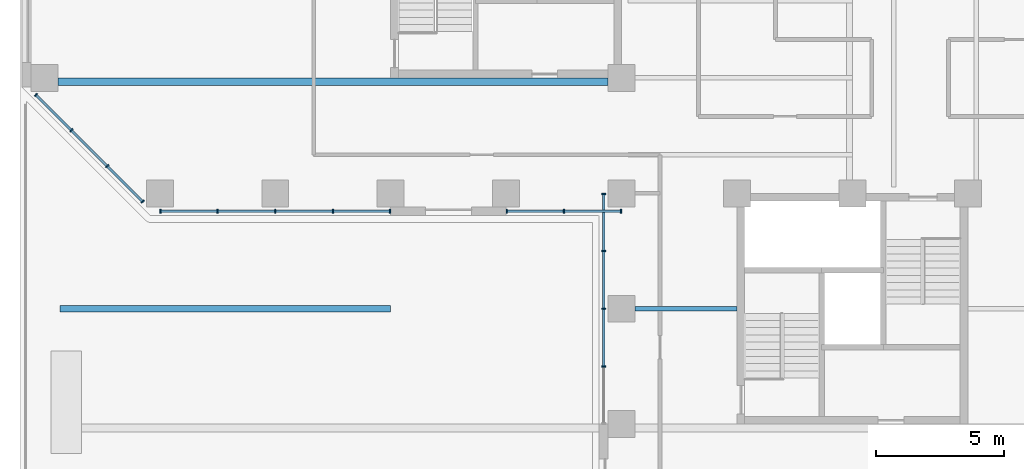
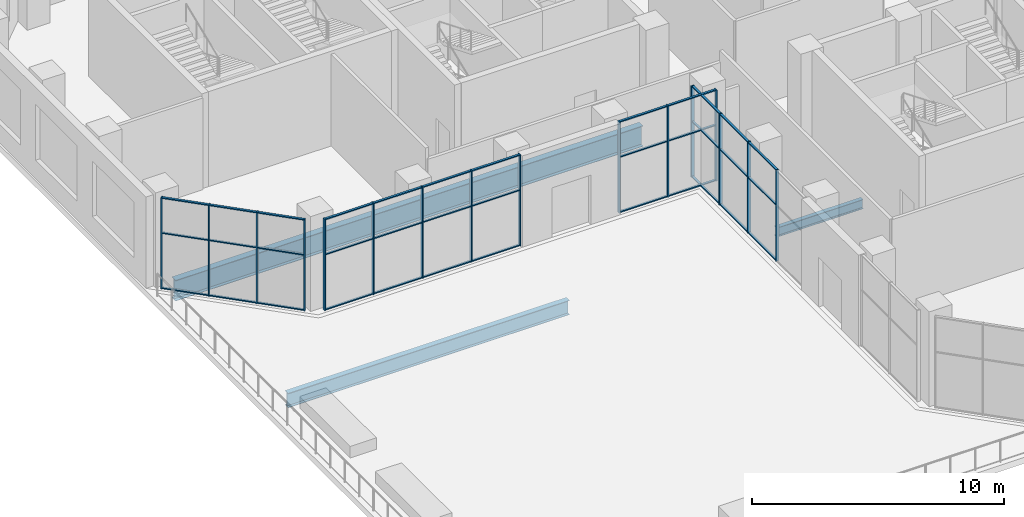
# One storey, part 3 of 14: 52 members, 3 beams, 4 elements without a shape of their own.
"""IFC4 building model written with IfcOpenShell, lengths in metres."""

from ifc_helpers import new_model, si_unit, direction, frame, origin, origin_2d, place, context, subcontext, project, spatial, rectangle, i_section, extrude, material, constituent, constituent_set, material_profile, profile_set, type_object, element, aggregate, save


model = new_model("IFC4")

# Units and contexts
model_context = context("Model", 3, precision=1e-05, world=origin(), true_north=direction((0.0, 1.0)))
body_context = subcontext(model_context, "Body", "Model", "MODEL_VIEW")
ifc_project = project(units=[si_unit("LENGTHUNIT", "METRE"), si_unit("AREAUNIT", "SQUARE_METRE"), si_unit("VOLUMEUNIT", "CUBIC_METRE"), si_unit("PLANEANGLEUNIT", "RADIAN"), si_unit("MASSUNIT", "GRAM", prefix="KILO")], contexts=[model_context])

# Site, building, storey
site_placement = place(None, origin())
site = spatial("IfcSite", under=ifc_project, at=site_placement, CompositionType="ELEMENT")
building_placement = place(site_placement, origin())
building = spatial("IfcBuilding", under=site, at=building_placement, Name="Quoin Convention Tower", CompositionType="ELEMENT")
storey_placement = place(building_placement, frame((0.0, 0.0, 74.300048828125)))
storey = spatial("IfcBuildingStorey", under=building, at=storey_placement, Name="L19", CompositionType="ELEMENT", Elevation=74.300048828125)

# Beams
ifc_material_1 = material(Name="Steel Grade 300", Category="steel")
ifc_material_profile_1 = material_profile(ifc_material_1, i_section(OverallWidth=0.300048828125, OverallDepth=1.0, WebThickness=0.01611328125, FlangeThickness=0.02001953125, at=origin_2d()), Name="1000WB215")
ifc_profile_set_1 = profile_set([ifc_material_profile_1], Name="Steel Grade 300")
beam_type_1 = type_object("IfcBeamType", Name="1000WB215", PredefinedType="BEAM", material=ifc_profile_set_1)
beam_1_placement = place(storey_placement, frame((14.02490234375, 44.85009765625, -0.650146484375), z_axis=(1.0, 0.0, 0.0), x_axis=(0.0, 1.0, 0.0)))
element("IfcBeam", 1, at=beam_1_placement, inside=storey, type_object=beam_type_1, Name="gir-L19-ST2-1-0", PredefinedType="BEAM", context=body_context, shape_type="SweptSolid", body=[
    extrude(i_section(OverallWidth=0.300048828125, OverallDepth=1.0, WebThickness=0.01611328125, FlangeThickness=0.02001953125, at=origin_2d()), origin(), (0.0, 0.0, 1.0), 21.4501953125),
])
ifc_material_profile_2 = material_profile(ifc_material_1, i_section(OverallWidth=0.18994140625, OverallDepth=0.4541015625, WebThickness=0.008544921875, FlangeThickness=0.0126953125, FilletRadius=0.011474609375, at=origin_2d()), Name="460UB67.1")
ifc_profile_set_2 = profile_set([ifc_material_profile_2], Name="Steel Grade 300")
beam_type_2 = type_object("IfcBeamType", Name="460UB67.1", PredefinedType="BEAM", material=ifc_profile_set_2)
beam_2_placement = place(storey_placement, frame((36.52490234375, 36.0, -0.376953125), z_axis=(1.0, 0.0, 0.0), x_axis=(0.0, 1.0, 0.0)))
element("IfcBeam", 2, at=beam_2_placement, inside=storey, type_object=beam_type_2, Name="gir-L19-ST3-4-0", PredefinedType="BEAM", context=body_context, shape_type="SweptSolid", body=[
    extrude(i_section(OverallWidth=0.18994140625, OverallDepth=0.4541015625, WebThickness=0.008544921875, FlangeThickness=0.0126953125, FilletRadius=0.011474609375, at=origin_2d()), origin(), (0.0, 0.0, 1.0), 3.97509765625),
])
ifc_material_profile_3 = material_profile(ifc_material_1, i_section(OverallWidth=0.25, OverallDepth=0.699951171875, WebThickness=0.010009765625, FlangeThickness=0.02001953125, at=origin_2d()), Name="700WB130")
ifc_profile_set_3 = profile_set([ifc_material_profile_3], Name="Steel Grade 300")
beam_type_3 = type_object("IfcBeamType", Name="700WB130", PredefinedType="BEAM", material=ifc_profile_set_3)
beam_3_placement = place(storey_placement, frame((14.10009765625, 36.0, -0.650146484375), z_axis=(1.0, 0.0, 0.0), x_axis=(0.0, 1.0, 0.0)))
element("IfcBeam", 3, at=beam_3_placement, inside=storey, type_object=beam_type_3, Name="gir-L19-RT4-4-0", PredefinedType="BEAM", context=body_context, shape_type="SweptSolid", body=[
    extrude(i_section(OverallWidth=0.25, OverallDepth=0.699951171875, WebThickness=0.010009765625, FlangeThickness=0.02001953125, at=origin_2d()), origin(), (0.0, 0.0, 1.0), 12.89990234375),
])

# Curtain wall, members
ifc_material_2 = material(Name="Aluminium", Category="aluminium")
ifc_constituent_1 = constituent(ifc_material_2, Name="Frame")
ifc_material_3 = material(Name="Insulated glass", Category="glass")
ifc_constituent_2 = constituent(ifc_material_3, Name="Glazing")
ifc_constituent_set = constituent_set(constituents=[ifc_constituent_1, ifc_constituent_2], Name="Aluminium")
curtain_wall_type = type_object("IfcCurtainWallType", Name="Sky lobby glazing system", PredefinedType="NOTDEFINED", material=ifc_constituent_set)
curtain_wall_1_placement = place(storey_placement, origin())
curtain_wall_1 = element("IfcCurtainWall", 4, at=curtain_wall_1_placement, inside=storey, type_object=curtain_wall_type, Name="cw-SKY-L19-13005_44505", PredefinedType="NOTDEFINED")
ifc_material_profile_4 = material_profile(ifc_material_2, rectangle(XDim=0.14990234375, YDim=0.050048828125, at=origin_2d()), Name="Sky lobby glazing mullion 50x150")
ifc_profile_set_4 = profile_set([ifc_material_profile_4], Name="Aluminium")
member_type_1 = type_object("IfcMemberType", Name="Sky lobby glazing mullion 50x150", PredefinedType="MULLION", material=ifc_profile_set_4)
member_1_placement = place(storey_placement, frame((13.173095703125, 44.3369140625, 0.0), z_axis=(0.0, 0.0, 1.0), x_axis=(0.707098351457, 0.707115210816, 0.0)))
member_1 = element("IfcMember", 5, at=member_1_placement, type_object=member_type_1, Name="CW3 mullion 1", PredefinedType="MULLION", context=body_context, shape_type="SweptSolid", body=[
    extrude(rectangle(XDim=0.14990234375, YDim=0.050048828125, at=origin_2d()), origin(), (0.0, 0.0, 1.0), 4.425048828125),
])
member_2_placement = place(storey_placement, frame((14.553466796875, 42.956787109375, 0.0), z_axis=(0.0, 0.0, 1.0), x_axis=(0.707098351457, 0.707115210816, 0.0)))
member_2 = element("IfcMember", 6, at=member_2_placement, type_object=member_type_1, Name="CW3 mullion 2", PredefinedType="MULLION", context=body_context, shape_type="SweptSolid", body=[
    extrude(rectangle(XDim=0.14990234375, YDim=0.050048828125, at=origin_2d()), origin(), (0.0, 0.0, 1.0), 4.425048828125),
])
member_3_placement = place(storey_placement, frame((15.951416015625, 41.55859375, 0.0), z_axis=(0.0, 0.0, 1.0), x_axis=(0.707098351457, 0.707115210816, 0.0)))
member_3 = element("IfcMember", 7, at=member_3_placement, type_object=member_type_1, Name="CW3 mullion 3", PredefinedType="MULLION", context=body_context, shape_type="SweptSolid", body=[
    extrude(rectangle(XDim=0.14990234375, YDim=0.050048828125, at=origin_2d()), origin(), (0.0, 0.0, 1.0), 4.425048828125),
])
member_4_placement = place(storey_placement, frame((17.331787109375, 40.17822265625, 0.0), z_axis=(0.0, 0.0, 1.0), x_axis=(0.707098351457, 0.707115210816, 0.0)))
member_4 = element("IfcMember", 8, at=member_4_placement, type_object=member_type_1, Name="CW3 mullion 4", PredefinedType="MULLION", context=body_context, shape_type="SweptSolid", body=[
    extrude(rectangle(XDim=0.14990234375, YDim=0.050048828125, at=origin_2d()), origin(), (0.0, 0.0, 1.0), 4.425048828125),
])

curtain_wall_2_placement = place(storey_placement, origin())
curtain_wall_2 = element("IfcCurtainWall", 9, at=curtain_wall_2_placement, inside=storey, type_object=curtain_wall_type, Name="cw-SKY-L19-18000_39800", PredefinedType="NOTDEFINED")
member_5_placement = place(storey_placement, frame((18.02490234375, 39.800048828125, 0.0), z_axis=(0.0, 0.0, 1.0), x_axis=(0.0, 1.0, 0.0)))
member_5 = element("IfcMember", 10, at=member_5_placement, type_object=member_type_1, Name="CW3 mullion 1", PredefinedType="MULLION", context=body_context, shape_type="SweptSolid", body=[
    extrude(rectangle(XDim=0.14990234375, YDim=0.050048828125, at=origin_2d()), origin(), (0.0, 0.0, 1.0), 4.425048828125),
])
member_6_placement = place(storey_placement, frame((20.25, 39.800048828125, 0.0), z_axis=(0.0, 0.0, 1.0), x_axis=(0.0, 1.0, 0.0)))
member_6 = element("IfcMember", 11, at=member_6_placement, type_object=member_type_1, Name="CW3 mullion 2", PredefinedType="MULLION", context=body_context, shape_type="SweptSolid", body=[
    extrude(rectangle(XDim=0.14990234375, YDim=0.050048828125, at=origin_2d()), origin(), (0.0, 0.0, 1.0), 4.425048828125),
])
member_7_placement = place(storey_placement, frame((22.5, 39.800048828125, 0.0), z_axis=(0.0, 0.0, 1.0), x_axis=(0.0, 1.0, 0.0)))
member_7 = element("IfcMember", 12, at=member_7_placement, type_object=member_type_1, Name="CW3 mullion 3", PredefinedType="MULLION", context=body_context, shape_type="SweptSolid", body=[
    extrude(rectangle(XDim=0.14990234375, YDim=0.050048828125, at=origin_2d()), origin(), (0.0, 0.0, 1.0), 4.425048828125),
])
member_8_placement = place(storey_placement, frame((24.75, 39.800048828125, 0.0), z_axis=(0.0, 0.0, 1.0), x_axis=(0.0, 1.0, 0.0)))
member_8 = element("IfcMember", 13, at=member_8_placement, type_object=member_type_1, Name="CW3 mullion 4", PredefinedType="MULLION", context=body_context, shape_type="SweptSolid", body=[
    extrude(rectangle(XDim=0.14990234375, YDim=0.050048828125, at=origin_2d()), origin(), (0.0, 0.0, 1.0), 4.425048828125),
])
member_9_placement = place(storey_placement, frame((26.97509765625, 39.800048828125, 0.0), z_axis=(0.0, 0.0, 1.0), x_axis=(0.0, 1.0, 0.0)))
member_9 = element("IfcMember", 14, at=member_9_placement, type_object=member_type_1, Name="CW3 mullion 5", PredefinedType="MULLION", context=body_context, shape_type="SweptSolid", body=[
    extrude(rectangle(XDim=0.14990234375, YDim=0.050048828125, at=origin_2d()), origin(), (0.0, 0.0, 1.0), 4.425048828125),
])

curtain_wall_3_placement = place(storey_placement, origin())
curtain_wall_3 = element("IfcCurtainWall", 15, at=curtain_wall_3_placement, inside=storey, type_object=curtain_wall_type, Name="cw-SKY-L19-31500_39800", PredefinedType="NOTDEFINED")
member_10_placement = place(storey_placement, frame((31.52490234375, 39.800048828125, 0.0), z_axis=(0.0, 0.0, 1.0), x_axis=(0.0, 1.0, 0.0)))
member_10 = element("IfcMember", 16, at=member_10_placement, type_object=member_type_1, Name="CW3 mullion 1", PredefinedType="MULLION", context=body_context, shape_type="SweptSolid", body=[
    extrude(rectangle(XDim=0.14990234375, YDim=0.050048828125, at=origin_2d()), origin(), (0.0, 0.0, 1.0), 4.425048828125),
])
member_11_placement = place(storey_placement, frame((33.75, 39.800048828125, 0.0), z_axis=(0.0, 0.0, 1.0), x_axis=(0.0, 1.0, 0.0)))
member_11 = element("IfcMember", 17, at=member_11_placement, type_object=member_type_1, Name="CW3 mullion 2", PredefinedType="MULLION", context=body_context, shape_type="SweptSolid", body=[
    extrude(rectangle(XDim=0.14990234375, YDim=0.050048828125, at=origin_2d()), origin(), (0.0, 0.0, 1.0), 4.425048828125),
])
member_12_placement = place(storey_placement, frame((35.97509765625, 39.800048828125, 0.0), z_axis=(0.0, 0.0, 1.0), x_axis=(0.0, 1.0, 0.0)))
member_12 = element("IfcMember", 18, at=member_12_placement, type_object=member_type_1, Name="CW3 mullion 3", PredefinedType="MULLION", context=body_context, shape_type="SweptSolid", body=[
    extrude(rectangle(XDim=0.14990234375, YDim=0.050048828125, at=origin_2d()), origin(), (0.0, 0.0, 1.0), 4.425048828125),
])

curtain_wall_4_placement = place(storey_placement, origin())
curtain_wall_4 = element("IfcCurtainWall", 19, at=curtain_wall_4_placement, inside=storey, type_object=curtain_wall_type, Name="cw-SKY-L19-35300_40500", PredefinedType="NOTDEFINED")
member_13_placement = place(storey_placement, frame((35.300048828125, 40.47509765625, 0.0), z_axis=(0.0, 0.0, 1.0), x_axis=(1.0, 0.0, 0.0)))
member_13 = element("IfcMember", 20, at=member_13_placement, type_object=member_type_1, Name="CW3 mullion 1", PredefinedType="MULLION", context=body_context, shape_type="SweptSolid", body=[
    extrude(rectangle(XDim=0.14990234375, YDim=0.050048828125, at=origin_2d()), origin(), (0.0, 0.0, 1.0), 4.425048828125),
])
member_14_placement = place(storey_placement, frame((35.300048828125, 38.25, 0.0), z_axis=(0.0, 0.0, 1.0), x_axis=(1.0, 0.0, 0.0)))
member_14 = element("IfcMember", 21, at=member_14_placement, type_object=member_type_1, Name="CW3 mullion 2", PredefinedType="MULLION", context=body_context, shape_type="SweptSolid", body=[
    extrude(rectangle(XDim=0.14990234375, YDim=0.050048828125, at=origin_2d()), origin(), (0.0, 0.0, 1.0), 4.425048828125),
])
member_15_placement = place(storey_placement, frame((35.300048828125, 36.0, 0.0), z_axis=(0.0, 0.0, 1.0), x_axis=(1.0, 0.0, 0.0)))
member_15 = element("IfcMember", 22, at=member_15_placement, type_object=member_type_1, Name="CW3 mullion 3", PredefinedType="MULLION", context=body_context, shape_type="SweptSolid", body=[
    extrude(rectangle(XDim=0.14990234375, YDim=0.050048828125, at=origin_2d()), origin(), (0.0, 0.0, 1.0), 4.425048828125),
])
member_16_placement = place(storey_placement, frame((35.300048828125, 33.75, 0.0), z_axis=(0.0, 0.0, 1.0), x_axis=(1.0, 0.0, 0.0)))
member_16 = element("IfcMember", 23, at=member_16_placement, type_object=member_type_1, Name="CW3 mullion 4", PredefinedType="MULLION", context=body_context, shape_type="SweptSolid", body=[
    extrude(rectangle(XDim=0.14990234375, YDim=0.050048828125, at=origin_2d()), origin(), (0.0, 0.0, 1.0), 4.425048828125),
])

# Member
ifc_material_profile_5 = material_profile(ifc_material_2, rectangle(XDim=0.10009765625, YDim=0.050048828125, at=origin_2d()), Name="Sky lobby glazing transom 50x100")
ifc_profile_set_5 = profile_set([ifc_material_profile_5], Name="Aluminium")
member_type_2 = type_object("IfcMemberType", Name="Sky lobby glazing transom 50x100", PredefinedType="USERDEFINED", material=ifc_profile_set_5)
member_17_placement = place(storey_placement, frame((13.190673828125, 44.3193359375, 0.02490234375), z_axis=(0.707106781187, -0.707106781187, 0.0), x_axis=(0.707106781187, 0.707106781187, 0.0)))
member_17 = element("IfcMember", 24, at=member_17_placement, type_object=member_type_2, Name="CW3 transom 1.1", ObjectType="TRANSOM", PredefinedType="USERDEFINED", context=body_context, shape_type="SweptSolid", body=[
    extrude(rectangle(XDim=0.10009765625, YDim=0.050048828125, at=origin_2d()), origin(), (0.0, 0.0, 1.0), 1.902099609375),
])

member_18_placement = place(storey_placement, frame((13.190673828125, 44.3193359375, 2.699951171875), z_axis=(0.707106781187, -0.707106781187, 0.0), x_axis=(0.707106781187, 0.707106781187, 0.0)))
member_18 = element("IfcMember", 25, at=member_18_placement, type_object=member_type_2, Name="CW3 transom 1.2", ObjectType="TRANSOM", PredefinedType="USERDEFINED", context=body_context, shape_type="SweptSolid", body=[
    extrude(rectangle(XDim=0.10009765625, YDim=0.050048828125, at=origin_2d()), origin(), (0.0, 0.0, 1.0), 1.902099609375),
])

member_19_placement = place(storey_placement, frame((13.190673828125, 44.3193359375, 4.39990234375), z_axis=(0.707106781187, -0.707106781187, 0.0), x_axis=(0.707106781187, 0.707106781187, 0.0)))
member_19 = element("IfcMember", 26, at=member_19_placement, type_object=member_type_2, Name="CW3 transom 1.3", ObjectType="TRANSOM", PredefinedType="USERDEFINED", context=body_context, shape_type="SweptSolid", body=[
    extrude(rectangle(XDim=0.10009765625, YDim=0.050048828125, at=origin_2d()), origin(), (0.0, 0.0, 1.0), 1.902099609375),
])

member_20_placement = place(storey_placement, frame((14.571044921875, 42.93896484375, 0.02490234375), z_axis=(0.707170122144, -0.707043434555, 0.0), x_axis=(0.707043434555, 0.707170122144, 0.0)))
member_20 = element("IfcMember", 27, at=member_20_placement, type_object=member_type_2, Name="CW3 transom 2.1", ObjectType="TRANSOM", PredefinedType="USERDEFINED", context=body_context, shape_type="SweptSolid", body=[
    extrude(rectangle(XDim=0.10009765625, YDim=0.050048828125, at=origin_2d()), origin(), (0.0, 0.0, 1.0), 1.927001953125),
])

member_21_placement = place(storey_placement, frame((14.571044921875, 42.93896484375, 2.699951171875), z_axis=(0.707170122144, -0.707043434555, 0.0), x_axis=(0.707043434555, 0.707170122144, 0.0)))
member_21 = element("IfcMember", 28, at=member_21_placement, type_object=member_type_2, Name="CW3 transom 2.2", ObjectType="TRANSOM", PredefinedType="USERDEFINED", context=body_context, shape_type="SweptSolid", body=[
    extrude(rectangle(XDim=0.10009765625, YDim=0.050048828125, at=origin_2d()), origin(), (0.0, 0.0, 1.0), 1.927001953125),
])

member_22_placement = place(storey_placement, frame((14.571044921875, 42.93896484375, 4.39990234375), z_axis=(0.707170122144, -0.707043434555, 0.0), x_axis=(0.707043434555, 0.707170122144, 0.0)))
member_22 = element("IfcMember", 29, at=member_22_placement, type_object=member_type_2, Name="CW3 transom 2.3", ObjectType="TRANSOM", PredefinedType="USERDEFINED", context=body_context, shape_type="SweptSolid", body=[
    extrude(rectangle(XDim=0.10009765625, YDim=0.050048828125, at=origin_2d()), origin(), (0.0, 0.0, 1.0), 1.927001953125),
])

member_23_placement = place(storey_placement, frame((15.968994140625, 41.541015625, 0.02490234375), z_axis=(0.707170949867, -0.707042606682, 0.0), x_axis=(0.707042606682, 0.707170949867, 0.0)))
member_23 = element("IfcMember", 30, at=member_23_placement, type_object=member_type_2, Name="CW3 transom 3.1", ObjectType="TRANSOM", PredefinedType="USERDEFINED", context=body_context, shape_type="SweptSolid", body=[
    extrude(rectangle(XDim=0.10009765625, YDim=0.050048828125, at=origin_2d()), origin(), (0.0, 0.0, 1.0), 1.90234375),
])

member_24_placement = place(storey_placement, frame((15.968994140625, 41.541015625, 2.699951171875), z_axis=(0.707170949867, -0.707042606682, 0.0), x_axis=(0.707042606682, 0.707170949867, 0.0)))
member_24 = element("IfcMember", 31, at=member_24_placement, type_object=member_type_2, Name="CW3 transom 3.2", ObjectType="TRANSOM", PredefinedType="USERDEFINED", context=body_context, shape_type="SweptSolid", body=[
    extrude(rectangle(XDim=0.10009765625, YDim=0.050048828125, at=origin_2d()), origin(), (0.0, 0.0, 1.0), 1.90234375),
])

member_25_placement = place(storey_placement, frame((15.968994140625, 41.541015625, 4.39990234375), z_axis=(0.707170949867, -0.707042606682, 0.0), x_axis=(0.707042606682, 0.707170949867, 0.0)))
member_25 = element("IfcMember", 32, at=member_25_placement, type_object=member_type_2, Name="CW3 transom 3.3", ObjectType="TRANSOM", PredefinedType="USERDEFINED", context=body_context, shape_type="SweptSolid", body=[
    extrude(rectangle(XDim=0.10009765625, YDim=0.050048828125, at=origin_2d()), origin(), (0.0, 0.0, 1.0), 1.90234375),
])

aggregate(curtain_wall_1, [member_1, member_2, member_3, member_4, member_17, member_18, member_19, member_20, member_21, member_22, member_23, member_24, member_25])

member_26_placement = place(storey_placement, frame((18.050048828125, 39.800048828125, 0.02490234375), z_axis=(1.0, 0.0, 0.0), x_axis=(0.0, 1.0, 0.0)))
member_26 = element("IfcMember", 33, at=member_26_placement, type_object=member_type_2, Name="CW3 transom 1.1", ObjectType="TRANSOM", PredefinedType="USERDEFINED", context=body_context, shape_type="SweptSolid", body=[
    extrude(rectangle(XDim=0.10009765625, YDim=0.050048828125, at=origin_2d()), origin(), (0.0, 0.0, 1.0), 2.175048828125),
])

member_27_placement = place(storey_placement, frame((18.050048828125, 39.800048828125, 2.699951171875), z_axis=(1.0, 0.0, 0.0), x_axis=(0.0, 1.0, 0.0)))
member_27 = element("IfcMember", 34, at=member_27_placement, type_object=member_type_2, Name="CW3 transom 1.2", ObjectType="TRANSOM", PredefinedType="USERDEFINED", context=body_context, shape_type="SweptSolid", body=[
    extrude(rectangle(XDim=0.10009765625, YDim=0.050048828125, at=origin_2d()), origin(), (0.0, 0.0, 1.0), 2.175048828125),
])

member_28_placement = place(storey_placement, frame((18.050048828125, 39.800048828125, 4.39990234375), z_axis=(1.0, 0.0, 0.0), x_axis=(0.0, 1.0, 0.0)))
member_28 = element("IfcMember", 35, at=member_28_placement, type_object=member_type_2, Name="CW3 transom 1.3", ObjectType="TRANSOM", PredefinedType="USERDEFINED", context=body_context, shape_type="SweptSolid", body=[
    extrude(rectangle(XDim=0.10009765625, YDim=0.050048828125, at=origin_2d()), origin(), (0.0, 0.0, 1.0), 2.175048828125),
])

member_29_placement = place(storey_placement, frame((20.27490234375, 39.800048828125, 0.02490234375), z_axis=(1.0, 0.0, 0.0), x_axis=(0.0, 1.0, 0.0)))
member_29 = element("IfcMember", 36, at=member_29_placement, type_object=member_type_2, Name="CW3 transom 2.1", ObjectType="TRANSOM", PredefinedType="USERDEFINED", context=body_context, shape_type="SweptSolid", body=[
    extrude(rectangle(XDim=0.10009765625, YDim=0.050048828125, at=origin_2d()), origin(), (0.0, 0.0, 1.0), 2.2001953125),
])

member_30_placement = place(storey_placement, frame((20.27490234375, 39.800048828125, 2.699951171875), z_axis=(1.0, 0.0, 0.0), x_axis=(0.0, 1.0, 0.0)))
member_30 = element("IfcMember", 37, at=member_30_placement, type_object=member_type_2, Name="CW3 transom 2.2", ObjectType="TRANSOM", PredefinedType="USERDEFINED", context=body_context, shape_type="SweptSolid", body=[
    extrude(rectangle(XDim=0.10009765625, YDim=0.050048828125, at=origin_2d()), origin(), (0.0, 0.0, 1.0), 2.2001953125),
])

member_31_placement = place(storey_placement, frame((20.27490234375, 39.800048828125, 4.39990234375), z_axis=(1.0, 0.0, 0.0), x_axis=(0.0, 1.0, 0.0)))
member_31 = element("IfcMember", 38, at=member_31_placement, type_object=member_type_2, Name="CW3 transom 2.3", ObjectType="TRANSOM", PredefinedType="USERDEFINED", context=body_context, shape_type="SweptSolid", body=[
    extrude(rectangle(XDim=0.10009765625, YDim=0.050048828125, at=origin_2d()), origin(), (0.0, 0.0, 1.0), 2.2001953125),
])

member_32_placement = place(storey_placement, frame((22.52490234375, 39.800048828125, 0.02490234375), z_axis=(1.0, 0.0, 0.0), x_axis=(0.0, 1.0, 0.0)))
member_32 = element("IfcMember", 39, at=member_32_placement, type_object=member_type_2, Name="CW3 transom 3.1", ObjectType="TRANSOM", PredefinedType="USERDEFINED", context=body_context, shape_type="SweptSolid", body=[
    extrude(rectangle(XDim=0.10009765625, YDim=0.050048828125, at=origin_2d()), origin(), (0.0, 0.0, 1.0), 2.2001953125),
])

member_33_placement = place(storey_placement, frame((22.52490234375, 39.800048828125, 2.699951171875), z_axis=(1.0, 0.0, 0.0), x_axis=(0.0, 1.0, 0.0)))
member_33 = element("IfcMember", 40, at=member_33_placement, type_object=member_type_2, Name="CW3 transom 3.2", ObjectType="TRANSOM", PredefinedType="USERDEFINED", context=body_context, shape_type="SweptSolid", body=[
    extrude(rectangle(XDim=0.10009765625, YDim=0.050048828125, at=origin_2d()), origin(), (0.0, 0.0, 1.0), 2.2001953125),
])

member_34_placement = place(storey_placement, frame((22.52490234375, 39.800048828125, 4.39990234375), z_axis=(1.0, 0.0, 0.0), x_axis=(0.0, 1.0, 0.0)))
member_34 = element("IfcMember", 41, at=member_34_placement, type_object=member_type_2, Name="CW3 transom 3.3", ObjectType="TRANSOM", PredefinedType="USERDEFINED", context=body_context, shape_type="SweptSolid", body=[
    extrude(rectangle(XDim=0.10009765625, YDim=0.050048828125, at=origin_2d()), origin(), (0.0, 0.0, 1.0), 2.2001953125),
])

member_35_placement = place(storey_placement, frame((24.77490234375, 39.800048828125, 0.02490234375), z_axis=(1.0, 0.0, 0.0), x_axis=(0.0, 1.0, 0.0)))
member_35 = element("IfcMember", 42, at=member_35_placement, type_object=member_type_2, Name="CW3 transom 4.1", ObjectType="TRANSOM", PredefinedType="USERDEFINED", context=body_context, shape_type="SweptSolid", body=[
    extrude(rectangle(XDim=0.10009765625, YDim=0.050048828125, at=origin_2d()), origin(), (0.0, 0.0, 1.0), 2.175048828125),
])

member_36_placement = place(storey_placement, frame((24.77490234375, 39.800048828125, 2.699951171875), z_axis=(1.0, 0.0, 0.0), x_axis=(0.0, 1.0, 0.0)))
member_36 = element("IfcMember", 43, at=member_36_placement, type_object=member_type_2, Name="CW3 transom 4.2", ObjectType="TRANSOM", PredefinedType="USERDEFINED", context=body_context, shape_type="SweptSolid", body=[
    extrude(rectangle(XDim=0.10009765625, YDim=0.050048828125, at=origin_2d()), origin(), (0.0, 0.0, 1.0), 2.175048828125),
])

member_37_placement = place(storey_placement, frame((24.77490234375, 39.800048828125, 4.39990234375), z_axis=(1.0, 0.0, 0.0), x_axis=(0.0, 1.0, 0.0)))
member_37 = element("IfcMember", 44, at=member_37_placement, type_object=member_type_2, Name="CW3 transom 4.3", ObjectType="TRANSOM", PredefinedType="USERDEFINED", context=body_context, shape_type="SweptSolid", body=[
    extrude(rectangle(XDim=0.10009765625, YDim=0.050048828125, at=origin_2d()), origin(), (0.0, 0.0, 1.0), 2.175048828125),
])

aggregate(curtain_wall_2, [member_5, member_6, member_7, member_8, member_9, member_26, member_27, member_28, member_29, member_30, member_31, member_32, member_33, member_34, member_35, member_36, member_37])

member_38_placement = place(storey_placement, frame((31.550048828125, 39.800048828125, 0.02490234375), z_axis=(1.0, 0.0, 0.0), x_axis=(0.0, 1.0, 0.0)))
member_38 = element("IfcMember", 45, at=member_38_placement, type_object=member_type_2, Name="CW3 transom 1.1", ObjectType="TRANSOM", PredefinedType="USERDEFINED", context=body_context, shape_type="SweptSolid", body=[
    extrude(rectangle(XDim=0.10009765625, YDim=0.050048828125, at=origin_2d()), origin(), (0.0, 0.0, 1.0), 2.175048828125),
])

member_39_placement = place(storey_placement, frame((31.550048828125, 39.800048828125, 2.699951171875), z_axis=(1.0, 0.0, 0.0), x_axis=(0.0, 1.0, 0.0)))
member_39 = element("IfcMember", 46, at=member_39_placement, type_object=member_type_2, Name="CW3 transom 1.2", ObjectType="TRANSOM", PredefinedType="USERDEFINED", context=body_context, shape_type="SweptSolid", body=[
    extrude(rectangle(XDim=0.10009765625, YDim=0.050048828125, at=origin_2d()), origin(), (0.0, 0.0, 1.0), 2.175048828125),
])

member_40_placement = place(storey_placement, frame((31.550048828125, 39.800048828125, 4.39990234375), z_axis=(1.0, 0.0, 0.0), x_axis=(0.0, 1.0, 0.0)))
member_40 = element("IfcMember", 47, at=member_40_placement, type_object=member_type_2, Name="CW3 transom 1.3", ObjectType="TRANSOM", PredefinedType="USERDEFINED", context=body_context, shape_type="SweptSolid", body=[
    extrude(rectangle(XDim=0.10009765625, YDim=0.050048828125, at=origin_2d()), origin(), (0.0, 0.0, 1.0), 2.175048828125),
])

member_41_placement = place(storey_placement, frame((33.77490234375, 39.800048828125, 0.02490234375), z_axis=(1.0, 0.0, 0.0), x_axis=(0.0, 1.0, 0.0)))
member_41 = element("IfcMember", 48, at=member_41_placement, type_object=member_type_2, Name="CW3 transom 2.1", ObjectType="TRANSOM", PredefinedType="USERDEFINED", context=body_context, shape_type="SweptSolid", body=[
    extrude(rectangle(XDim=0.10009765625, YDim=0.050048828125, at=origin_2d()), origin(), (0.0, 0.0, 1.0), 2.175048828125),
])

member_42_placement = place(storey_placement, frame((33.77490234375, 39.800048828125, 2.699951171875), z_axis=(1.0, 0.0, 0.0), x_axis=(0.0, 1.0, 0.0)))
member_42 = element("IfcMember", 49, at=member_42_placement, type_object=member_type_2, Name="CW3 transom 2.2", ObjectType="TRANSOM", PredefinedType="USERDEFINED", context=body_context, shape_type="SweptSolid", body=[
    extrude(rectangle(XDim=0.10009765625, YDim=0.050048828125, at=origin_2d()), origin(), (0.0, 0.0, 1.0), 2.175048828125),
])

member_43_placement = place(storey_placement, frame((33.77490234375, 39.800048828125, 4.39990234375), z_axis=(1.0, 0.0, 0.0), x_axis=(0.0, 1.0, 0.0)))
member_43 = element("IfcMember", 50, at=member_43_placement, type_object=member_type_2, Name="CW3 transom 2.3", ObjectType="TRANSOM", PredefinedType="USERDEFINED", context=body_context, shape_type="SweptSolid", body=[
    extrude(rectangle(XDim=0.10009765625, YDim=0.050048828125, at=origin_2d()), origin(), (0.0, 0.0, 1.0), 2.175048828125),
])

aggregate(curtain_wall_3, [member_10, member_11, member_12, member_38, member_39, member_40, member_41, member_42, member_43])

member_44_placement = place(storey_placement, frame((35.300048828125, 40.449951171875, 0.02490234375), z_axis=(0.0, -1.0, 0.0), x_axis=(1.0, 0.0, 0.0)))
member_44 = element("IfcMember", 51, at=member_44_placement, type_object=member_type_2, Name="CW3 transom 1.1", ObjectType="TRANSOM", PredefinedType="USERDEFINED", context=body_context, shape_type="SweptSolid", body=[
    extrude(rectangle(XDim=0.10009765625, YDim=0.050048828125, at=origin_2d()), origin(), (0.0, 0.0, 1.0), 2.175048828125),
])

member_45_placement = place(storey_placement, frame((35.300048828125, 40.449951171875, 2.699951171875), z_axis=(0.0, -1.0, 0.0), x_axis=(1.0, 0.0, 0.0)))
member_45 = element("IfcMember", 52, at=member_45_placement, type_object=member_type_2, Name="CW3 transom 1.2", ObjectType="TRANSOM", PredefinedType="USERDEFINED", context=body_context, shape_type="SweptSolid", body=[
    extrude(rectangle(XDim=0.10009765625, YDim=0.050048828125, at=origin_2d()), origin(), (0.0, 0.0, 1.0), 2.175048828125),
])

member_46_placement = place(storey_placement, frame((35.300048828125, 40.449951171875, 4.39990234375), z_axis=(0.0, -1.0, 0.0), x_axis=(1.0, 0.0, 0.0)))
member_46 = element("IfcMember", 53, at=member_46_placement, type_object=member_type_2, Name="CW3 transom 1.3", ObjectType="TRANSOM", PredefinedType="USERDEFINED", context=body_context, shape_type="SweptSolid", body=[
    extrude(rectangle(XDim=0.10009765625, YDim=0.050048828125, at=origin_2d()), origin(), (0.0, 0.0, 1.0), 2.175048828125),
])

member_47_placement = place(storey_placement, frame((35.300048828125, 38.22509765625, 0.02490234375), z_axis=(0.0, -1.0, 0.0), x_axis=(1.0, 0.0, 0.0)))
member_47 = element("IfcMember", 54, at=member_47_placement, type_object=member_type_2, Name="CW3 transom 2.1", ObjectType="TRANSOM", PredefinedType="USERDEFINED", context=body_context, shape_type="SweptSolid", body=[
    extrude(rectangle(XDim=0.10009765625, YDim=0.050048828125, at=origin_2d()), origin(), (0.0, 0.0, 1.0), 2.2001953125),
])

member_48_placement = place(storey_placement, frame((35.300048828125, 38.22509765625, 2.699951171875), z_axis=(0.0, -1.0, 0.0), x_axis=(1.0, 0.0, 0.0)))
member_48 = element("IfcMember", 55, at=member_48_placement, type_object=member_type_2, Name="CW3 transom 2.2", ObjectType="TRANSOM", PredefinedType="USERDEFINED", context=body_context, shape_type="SweptSolid", body=[
    extrude(rectangle(XDim=0.10009765625, YDim=0.050048828125, at=origin_2d()), origin(), (0.0, 0.0, 1.0), 2.2001953125),
])

member_49_placement = place(storey_placement, frame((35.300048828125, 38.22509765625, 4.39990234375), z_axis=(0.0, -1.0, 0.0), x_axis=(1.0, 0.0, 0.0)))
member_49 = element("IfcMember", 56, at=member_49_placement, type_object=member_type_2, Name="CW3 transom 2.3", ObjectType="TRANSOM", PredefinedType="USERDEFINED", context=body_context, shape_type="SweptSolid", body=[
    extrude(rectangle(XDim=0.10009765625, YDim=0.050048828125, at=origin_2d()), origin(), (0.0, 0.0, 1.0), 2.2001953125),
])

member_50_placement = place(storey_placement, frame((35.300048828125, 35.97509765625, 0.02490234375), z_axis=(0.0, -1.0, 0.0), x_axis=(1.0, 0.0, 0.0)))
member_50 = element("IfcMember", 57, at=member_50_placement, type_object=member_type_2, Name="CW3 transom 3.1", ObjectType="TRANSOM", PredefinedType="USERDEFINED", context=body_context, shape_type="SweptSolid", body=[
    extrude(rectangle(XDim=0.10009765625, YDim=0.050048828125, at=origin_2d()), origin(), (0.0, 0.0, 1.0), 2.2001953125),
])

member_51_placement = place(storey_placement, frame((35.300048828125, 35.97509765625, 2.699951171875), z_axis=(0.0, -1.0, 0.0), x_axis=(1.0, 0.0, 0.0)))
member_51 = element("IfcMember", 58, at=member_51_placement, type_object=member_type_2, Name="CW3 transom 3.2", ObjectType="TRANSOM", PredefinedType="USERDEFINED", context=body_context, shape_type="SweptSolid", body=[
    extrude(rectangle(XDim=0.10009765625, YDim=0.050048828125, at=origin_2d()), origin(), (0.0, 0.0, 1.0), 2.2001953125),
])

member_52_placement = place(storey_placement, frame((35.300048828125, 35.97509765625, 4.39990234375), z_axis=(0.0, -1.0, 0.0), x_axis=(1.0, 0.0, 0.0)))
member_52 = element("IfcMember", 59, at=member_52_placement, type_object=member_type_2, Name="CW3 transom 3.3", ObjectType="TRANSOM", PredefinedType="USERDEFINED", context=body_context, shape_type="SweptSolid", body=[
    extrude(rectangle(XDim=0.10009765625, YDim=0.050048828125, at=origin_2d()), origin(), (0.0, 0.0, 1.0), 2.2001953125),
])

aggregate(curtain_wall_4, [member_13, member_14, member_15, member_16, member_44, member_45, member_46, member_47, member_48, member_49, member_50, member_51, member_52])

save(model, "model.ifc")
